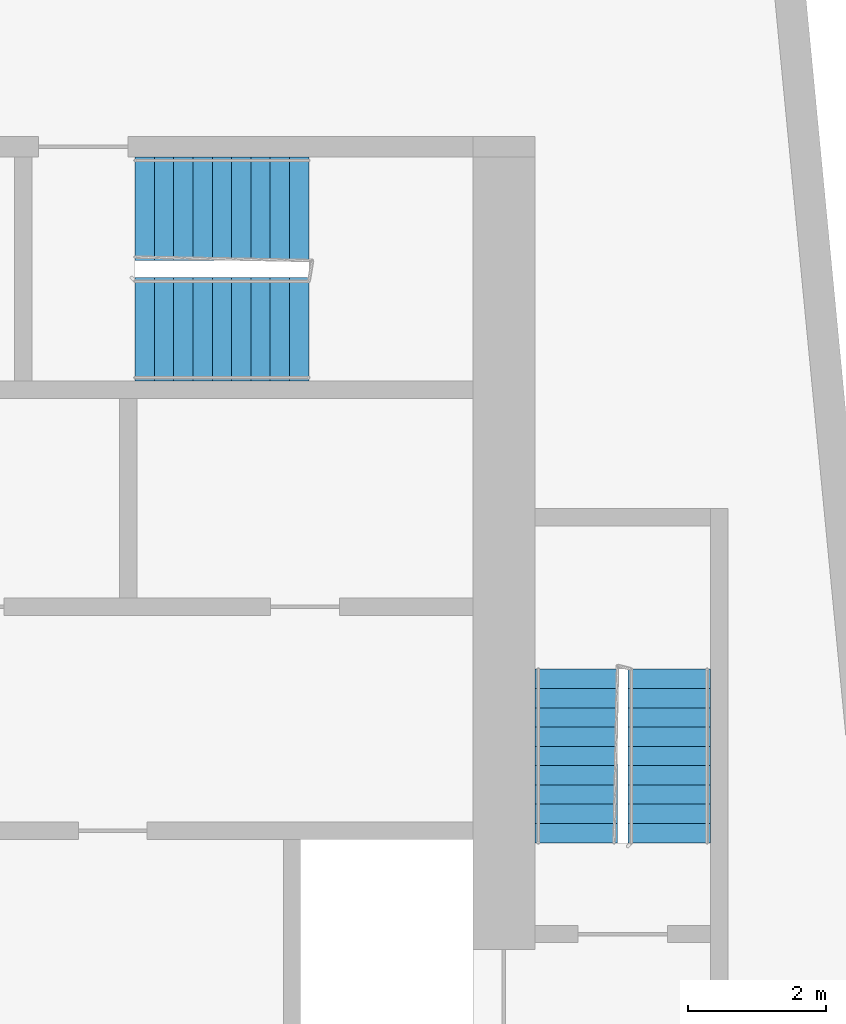
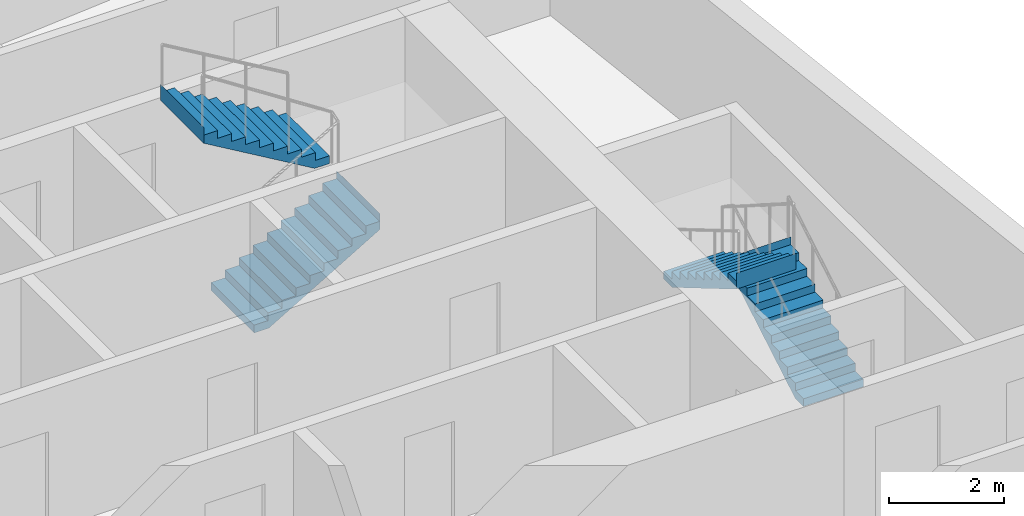
# One storey, part 11 of 12: 4 stair flights, 2 elements without a shape of their own.
"""IFC4 building model written with IfcOpenShell, lengths in metres."""

from ifc_helpers import new_model, si_unit, direction, frame, origin, place, context, subcontext, project, spatial, faceted_brep, material, type_object, element, aggregate, save


model = new_model("IFC4")

# Units and contexts
model_context = context("Model", 3, precision=1e-05, world=origin(), true_north=direction((0.0, 1.0)))
body_context = subcontext(model_context, "Body", "Model", "MODEL_VIEW")
ifc_project = project(units=[si_unit("LENGTHUNIT", "METRE"), si_unit("AREAUNIT", "SQUARE_METRE"), si_unit("VOLUMEUNIT", "CUBIC_METRE"), si_unit("PLANEANGLEUNIT", "RADIAN"), si_unit("MASSUNIT", "GRAM", prefix="KILO")], contexts=[model_context])

# Site, building, storey
site_placement = place(None, origin())
site = spatial("IfcSite", under=ifc_project, at=site_placement, CompositionType="ELEMENT")
building_placement = place(site_placement, origin())
building = spatial("IfcBuilding", under=site, at=building_placement, Name="Kajstack Hotel Tower", CompositionType="ELEMENT")
storey_placement = place(building_placement, frame((0.0, 0.0, 294.89990234375)))
storey = spatial("IfcBuildingStorey", under=building, at=storey_placement, Name="L74", CompositionType="ELEMENT", Elevation=294.89990234375)

# Stair, stair flights
ifc_material = material(Name="Concrete C40/50", Category="concrete")
stair_type_1 = type_object("IfcStairType", Name="Exit stair 1200", PredefinedType="HALF_TURN_STAIR", material=ifc_material)
stair_1_placement = place(storey_placement, origin())
stair_1 = element("IfcStair", 1, at=stair_1_placement, inside=storey, type_object=stair_type_1, Name="L74 stair E1", PredefinedType="HALF_TURN_STAIR")
stair_flight_type_1 = type_object("IfcStairFlightType", Name="Exit stair flight 1200", PredefinedType="STRAIGHT", material=ifc_material)
stair_flight_1_placement = place(storey_placement, frame((33.449951171875, 5.25, 0.0), z_axis=(0.0, 0.0, 1.0), x_axis=(0.0, 1.0, 0.0)))
stair_flight_1 = element("IfcStairFlight", 2, at=stair_flight_1_placement, type_object=stair_flight_type_1, Name="E1 flight 1", NumberOfRisers=10, NumberOfTreads=9, PredefinedType="STRAIGHT", RiserHeight=0.165, TreadLength=0.28, context=body_context, shape_type="Brep", body=[
    faceted_brep([(0.295654296875, -0.60009765625, 0.0), (2.5205078125, -0.60009765625, 1.31103515625), (2.5205078125, -0.60009765625, 1.64990234375), (2.52001953125, -0.60009765625, 1.64990234375), (2.52001953125, -0.60009765625, 1.485107421875), (2.239990234375, -0.60009765625, 1.485107421875), (2.239990234375, -0.60009765625, 1.320068359375), (1.9599609375, -0.60009765625, 1.320068359375), (1.9599609375, -0.60009765625, 1.155029296875), (1.679931640625, -0.60009765625, 1.155029296875), (1.679931640625, -0.60009765625, 0.989990234375), (1.39990234375, -0.60009765625, 0.989990234375), (1.39990234375, -0.60009765625, 0.824951171875), (1.1201171875, -0.60009765625, 0.824951171875), (1.1201171875, -0.60009765625, 0.659912109375), (0.840087890625, -0.60009765625, 0.659912109375), (0.840087890625, -0.60009765625, 0.4951171875), (0.56005859375, -0.60009765625, 0.4951171875), (0.56005859375, -0.60009765625, 0.330078125), (0.280029296875, -0.60009765625, 0.330078125), (0.280029296875, -0.60009765625, 0.1650390625), (-0.00048828125, -0.60009765625, 0.1650390625), (-0.00048828125, -0.60009765625, 0.0), (-0.00048828125, 0.60009765625, 0.0), (-0.00048828125, 0.60009765625, 0.1650390625), (0.280029296875, 0.60009765625, 0.1650390625), (0.280029296875, 0.60009765625, 0.330078125), (0.56005859375, 0.60009765625, 0.330078125), (0.56005859375, 0.60009765625, 0.4951171875), (0.840087890625, 0.60009765625, 0.4951171875), (0.840087890625, 0.60009765625, 0.659912109375), (1.1201171875, 0.60009765625, 0.659912109375), (1.1201171875, 0.60009765625, 0.824951171875), (1.39990234375, 0.60009765625, 0.824951171875), (1.39990234375, 0.60009765625, 0.989990234375), (1.679931640625, 0.60009765625, 0.989990234375), (1.679931640625, 0.60009765625, 1.155029296875), (1.9599609375, 0.60009765625, 1.155029296875), (1.9599609375, 0.60009765625, 1.320068359375), (2.239990234375, 0.60009765625, 1.320068359375), (2.239990234375, 0.60009765625, 1.485107421875), (2.52001953125, 0.60009765625, 1.485107421875), (2.52001953125, 0.60009765625, 1.64990234375), (2.5205078125, 0.60009765625, 1.64990234375), (2.5205078125, 0.60009765625, 1.31103515625), (0.295654296875, 0.60009765625, 0.0), (-0.00048828125, -0.300048828125, 0.1650390625), (-0.00048828125, 0.0, 0.1650390625), (-0.00048828125, 0.300048828125, 0.1650390625), (-0.00048828125, 0.300048828125, 0.0), (-0.00048828125, 0.0, 0.0), (-0.00048828125, -0.300048828125, 0.0), (0.280029296875, -0.300048828125, 0.1650390625), (0.280029296875, 0.0, 0.1650390625), (0.280029296875, 0.300048828125, 0.1650390625), (0.280029296875, -0.300048828125, 0.330078125), (0.280029296875, 0.0, 0.330078125), (0.280029296875, 0.300048828125, 0.330078125), (0.56005859375, -0.300048828125, 0.330078125), (0.56005859375, 0.0, 0.330078125), (0.56005859375, 0.300048828125, 0.330078125), (0.56005859375, -0.300048828125, 0.4951171875), (0.56005859375, 0.0, 0.4951171875), (0.56005859375, 0.300048828125, 0.4951171875), (0.840087890625, -0.300048828125, 0.4951171875), (0.840087890625, 0.0, 0.4951171875), (0.840087890625, 0.300048828125, 0.4951171875), (0.840087890625, -0.300048828125, 0.659912109375), (0.840087890625, 0.0, 0.659912109375), (0.840087890625, 0.300048828125, 0.659912109375), (1.1201171875, -0.300048828125, 0.659912109375), (1.1201171875, 0.0, 0.659912109375), (1.1201171875, 0.300048828125, 0.659912109375), (1.1201171875, -0.300048828125, 0.824951171875), (1.1201171875, 0.0, 0.824951171875), (1.1201171875, 0.300048828125, 0.824951171875), (1.39990234375, -0.300048828125, 0.824951171875), (1.39990234375, 0.0, 0.824951171875), (1.39990234375, 0.300048828125, 0.824951171875), (1.39990234375, -0.300048828125, 0.989990234375), (1.39990234375, 0.0, 0.989990234375), (1.39990234375, 0.300048828125, 0.989990234375), (1.679931640625, -0.300048828125, 0.989990234375), (1.679931640625, 0.0, 0.989990234375), (1.679931640625, 0.300048828125, 0.989990234375), (1.679931640625, -0.300048828125, 1.155029296875), (1.679931640625, 0.0, 1.155029296875), (1.679931640625, 0.300048828125, 1.155029296875), (1.9599609375, -0.300048828125, 1.155029296875), (1.9599609375, 0.0, 1.155029296875), (1.9599609375, 0.300048828125, 1.155029296875), (1.9599609375, -0.300048828125, 1.320068359375), (1.9599609375, 0.0, 1.320068359375), (1.9599609375, 0.300048828125, 1.320068359375), (2.239990234375, -0.300048828125, 1.320068359375), (2.239990234375, 0.0, 1.320068359375), (2.239990234375, 0.300048828125, 1.320068359375), (2.239990234375, -0.300048828125, 1.485107421875), (2.239990234375, 0.0, 1.485107421875), (2.239990234375, 0.300048828125, 1.485107421875), (2.52001953125, -0.300048828125, 1.485107421875), (2.52001953125, 0.0, 1.485107421875), (2.52001953125, 0.300048828125, 1.485107421875), (2.52001953125, -0.300048828125, 1.64990234375), (2.52001953125, 0.0, 1.64990234375), (2.52001953125, 0.300048828125, 1.64990234375), (2.5205078125, -0.300048828125, 1.64990234375), (2.5205078125, 0.0, 1.64990234375), (2.5205078125, 0.300048828125, 1.64990234375), (2.5205078125, -0.300048828125, 1.31103515625), (2.5205078125, 0.0, 1.31103515625), (2.5205078125, 0.300048828125, 1.31103515625), (0.295654296875, -0.300048828125, 0.0), (0.295654296875, 0.0, 0.0), (0.295654296875, 0.300048828125, 0.0)], [[[0, 1, 2, 3, 4, 5, 6, 7, 8, 9, 10, 11, 12, 13, 14, 15, 16, 17, 18, 19, 20, 21, 22]], [[23, 24, 25, 26, 27, 28, 29, 30, 31, 32, 33, 34, 35, 36, 37, 38, 39, 40, 41, 42, 43, 44, 45]], [[21, 46, 47, 48, 24, 23, 49, 50, 51, 22]], [[20, 52, 53, 54, 25, 24, 48, 47, 46, 21]], [[19, 55, 56, 57, 26, 25, 54, 53, 52, 20]], [[18, 58, 59, 60, 27, 26, 57, 56, 55, 19]], [[17, 61, 62, 63, 28, 27, 60, 59, 58, 18]], [[16, 64, 65, 66, 29, 28, 63, 62, 61, 17]], [[15, 67, 68, 69, 30, 29, 66, 65, 64, 16]], [[14, 70, 71, 72, 31, 30, 69, 68, 67, 15]], [[13, 73, 74, 75, 32, 31, 72, 71, 70, 14]], [[12, 76, 77, 78, 33, 32, 75, 74, 73, 13]], [[11, 79, 80, 81, 34, 33, 78, 77, 76, 12]], [[10, 82, 83, 84, 35, 34, 81, 80, 79, 11]], [[9, 85, 86, 87, 36, 35, 84, 83, 82, 10]], [[8, 88, 89, 90, 37, 36, 87, 86, 85, 9]], [[7, 91, 92, 93, 38, 37, 90, 89, 88, 8]], [[6, 94, 95, 96, 39, 38, 93, 92, 91, 7]], [[5, 97, 98, 99, 40, 39, 96, 95, 94, 6]], [[4, 100, 101, 102, 41, 40, 99, 98, 97, 5]], [[3, 103, 104, 105, 42, 41, 102, 101, 100, 4]], [[2, 106, 107, 108, 43, 42, 105, 104, 103, 3]], [[1, 109, 110, 111, 44, 43, 108, 107, 106, 2]], [[0, 112, 113, 114, 45, 44, 111, 110, 109, 1]], [[22, 51, 50, 49, 23, 45, 114, 113, 112, 0]]]),
])
stair_flight_2_placement = place(storey_placement, frame((32.10009765625, 7.77001953125, 1.650146484375), z_axis=(0.0, 0.0, 1.0), x_axis=(0.0, -1.0, 0.0)))
stair_flight_2 = element("IfcStairFlight", 3, at=stair_flight_2_placement, type_object=stair_flight_type_1, Name="E1 flight 2", NumberOfRisers=10, NumberOfTreads=9, PredefinedType="STRAIGHT", RiserHeight=0.165, TreadLength=0.28, context=body_context, shape_type="Brep", body=[
    faceted_brep([(0.295654296875, -0.60009765625, 0.0), (2.5205078125, -0.60009765625, 1.31103515625), (2.5205078125, -0.60009765625, 1.64990234375), (2.52001953125, -0.60009765625, 1.64990234375), (2.52001953125, -0.60009765625, 1.485107421875), (2.239990234375, -0.60009765625, 1.485107421875), (2.239990234375, -0.60009765625, 1.320068359375), (1.9599609375, -0.60009765625, 1.320068359375), (1.9599609375, -0.60009765625, 1.155029296875), (1.679931640625, -0.60009765625, 1.155029296875), (1.679931640625, -0.60009765625, 0.989990234375), (1.39990234375, -0.60009765625, 0.989990234375), (1.39990234375, -0.60009765625, 0.824951171875), (1.1201171875, -0.60009765625, 0.824951171875), (1.1201171875, -0.60009765625, 0.659912109375), (0.840087890625, -0.60009765625, 0.659912109375), (0.840087890625, -0.60009765625, 0.4951171875), (0.56005859375, -0.60009765625, 0.4951171875), (0.56005859375, -0.60009765625, 0.330078125), (0.280029296875, -0.60009765625, 0.330078125), (0.280029296875, -0.60009765625, 0.1650390625), (-0.00048828125, -0.60009765625, 0.1650390625), (-0.00048828125, -0.60009765625, 0.0), (-0.00048828125, 0.60009765625, 0.0), (-0.00048828125, 0.60009765625, 0.1650390625), (0.280029296875, 0.60009765625, 0.1650390625), (0.280029296875, 0.60009765625, 0.330078125), (0.56005859375, 0.60009765625, 0.330078125), (0.56005859375, 0.60009765625, 0.4951171875), (0.840087890625, 0.60009765625, 0.4951171875), (0.840087890625, 0.60009765625, 0.659912109375), (1.1201171875, 0.60009765625, 0.659912109375), (1.1201171875, 0.60009765625, 0.824951171875), (1.39990234375, 0.60009765625, 0.824951171875), (1.39990234375, 0.60009765625, 0.989990234375), (1.679931640625, 0.60009765625, 0.989990234375), (1.679931640625, 0.60009765625, 1.155029296875), (1.9599609375, 0.60009765625, 1.155029296875), (1.9599609375, 0.60009765625, 1.320068359375), (2.239990234375, 0.60009765625, 1.320068359375), (2.239990234375, 0.60009765625, 1.485107421875), (2.52001953125, 0.60009765625, 1.485107421875), (2.52001953125, 0.60009765625, 1.64990234375), (2.5205078125, 0.60009765625, 1.64990234375), (2.5205078125, 0.60009765625, 1.31103515625), (0.295654296875, 0.60009765625, 0.0), (-0.00048828125, -0.300048828125, 0.1650390625), (-0.00048828125, 0.0, 0.1650390625), (-0.00048828125, 0.300048828125, 0.1650390625), (-0.00048828125, 0.300048828125, 0.0), (-0.00048828125, 0.0, 0.0), (-0.00048828125, -0.300048828125, 0.0), (0.280029296875, -0.300048828125, 0.1650390625), (0.280029296875, 0.0, 0.1650390625), (0.280029296875, 0.300048828125, 0.1650390625), (0.280029296875, -0.300048828125, 0.330078125), (0.280029296875, 0.0, 0.330078125), (0.280029296875, 0.300048828125, 0.330078125), (0.56005859375, -0.300048828125, 0.330078125), (0.56005859375, 0.0, 0.330078125), (0.56005859375, 0.300048828125, 0.330078125), (0.56005859375, -0.300048828125, 0.4951171875), (0.56005859375, 0.0, 0.4951171875), (0.56005859375, 0.300048828125, 0.4951171875), (0.840087890625, -0.300048828125, 0.4951171875), (0.840087890625, 0.0, 0.4951171875), (0.840087890625, 0.300048828125, 0.4951171875), (0.840087890625, -0.300048828125, 0.659912109375), (0.840087890625, 0.0, 0.659912109375), (0.840087890625, 0.300048828125, 0.659912109375), (1.1201171875, -0.300048828125, 0.659912109375), (1.1201171875, 0.0, 0.659912109375), (1.1201171875, 0.300048828125, 0.659912109375), (1.1201171875, -0.300048828125, 0.824951171875), (1.1201171875, 0.0, 0.824951171875), (1.1201171875, 0.300048828125, 0.824951171875), (1.39990234375, -0.300048828125, 0.824951171875), (1.39990234375, 0.0, 0.824951171875), (1.39990234375, 0.300048828125, 0.824951171875), (1.39990234375, -0.300048828125, 0.989990234375), (1.39990234375, 0.0, 0.989990234375), (1.39990234375, 0.300048828125, 0.989990234375), (1.679931640625, -0.300048828125, 0.989990234375), (1.679931640625, 0.0, 0.989990234375), (1.679931640625, 0.300048828125, 0.989990234375), (1.679931640625, -0.300048828125, 1.155029296875), (1.679931640625, 0.0, 1.155029296875), (1.679931640625, 0.300048828125, 1.155029296875), (1.9599609375, -0.300048828125, 1.155029296875), (1.9599609375, 0.0, 1.155029296875), (1.9599609375, 0.300048828125, 1.155029296875), (1.9599609375, -0.300048828125, 1.320068359375), (1.9599609375, 0.0, 1.320068359375), (1.9599609375, 0.300048828125, 1.320068359375), (2.239990234375, -0.300048828125, 1.320068359375), (2.239990234375, 0.0, 1.320068359375), (2.239990234375, 0.300048828125, 1.320068359375), (2.239990234375, -0.300048828125, 1.485107421875), (2.239990234375, 0.0, 1.485107421875), (2.239990234375, 0.300048828125, 1.485107421875), (2.52001953125, -0.300048828125, 1.485107421875), (2.52001953125, 0.0, 1.485107421875), (2.52001953125, 0.300048828125, 1.485107421875), (2.52001953125, -0.300048828125, 1.64990234375), (2.52001953125, 0.0, 1.64990234375), (2.52001953125, 0.300048828125, 1.64990234375), (2.5205078125, -0.300048828125, 1.64990234375), (2.5205078125, 0.0, 1.64990234375), (2.5205078125, 0.300048828125, 1.64990234375), (2.5205078125, -0.300048828125, 1.31103515625), (2.5205078125, 0.0, 1.31103515625), (2.5205078125, 0.300048828125, 1.31103515625), (0.295654296875, -0.300048828125, 0.0), (0.295654296875, 0.0, 0.0), (0.295654296875, 0.300048828125, 0.0)], [[[0, 1, 2, 3, 4, 5, 6, 7, 8, 9, 10, 11, 12, 13, 14, 15, 16, 17, 18, 19, 20, 21, 22]], [[23, 24, 25, 26, 27, 28, 29, 30, 31, 32, 33, 34, 35, 36, 37, 38, 39, 40, 41, 42, 43, 44, 45]], [[21, 46, 47, 48, 24, 23, 49, 50, 51, 22]], [[20, 52, 53, 54, 25, 24, 48, 47, 46, 21]], [[19, 55, 56, 57, 26, 25, 54, 53, 52, 20]], [[18, 58, 59, 60, 27, 26, 57, 56, 55, 19]], [[17, 61, 62, 63, 28, 27, 60, 59, 58, 18]], [[16, 64, 65, 66, 29, 28, 63, 62, 61, 17]], [[15, 67, 68, 69, 30, 29, 66, 65, 64, 16]], [[14, 70, 71, 72, 31, 30, 69, 68, 67, 15]], [[13, 73, 74, 75, 32, 31, 72, 71, 70, 14]], [[12, 76, 77, 78, 33, 32, 75, 74, 73, 13]], [[11, 79, 80, 81, 34, 33, 78, 77, 76, 12]], [[10, 82, 83, 84, 35, 34, 81, 80, 79, 11]], [[9, 85, 86, 87, 36, 35, 84, 83, 82, 10]], [[8, 88, 89, 90, 37, 36, 87, 86, 85, 9]], [[7, 91, 92, 93, 38, 37, 90, 89, 88, 8]], [[6, 94, 95, 96, 39, 38, 93, 92, 91, 7]], [[5, 97, 98, 99, 40, 39, 96, 95, 94, 6]], [[4, 100, 101, 102, 41, 40, 99, 98, 97, 5]], [[3, 103, 104, 105, 42, 41, 102, 101, 100, 4]], [[2, 106, 107, 108, 43, 42, 105, 104, 103, 3]], [[1, 109, 110, 111, 44, 43, 108, 107, 106, 2]], [[0, 112, 113, 114, 45, 44, 111, 110, 109, 1]], [[22, 51, 50, 49, 23, 45, 114, 113, 112, 0]]]),
])
aggregate(stair_1, [stair_flight_1, stair_flight_2])

stair_type_2 = type_object("IfcStairType", Name="Exit stair 1500", PredefinedType="HALF_TURN_STAIR", material=ifc_material)
stair_2_placement = place(storey_placement, origin())
stair_2 = element("IfcStair", 4, at=stair_2_placement, inside=storey, type_object=stair_type_2, Name="L74 stair E3", PredefinedType="HALF_TURN_STAIR")
stair_flight_type_2 = type_object("IfcStairFlightType", Name="Exit stair flight 1500", PredefinedType="STRAIGHT", material=ifc_material)
stair_flight_3_placement = place(storey_placement, frame((25.699951171875, 12.699951171875, 0.0), z_axis=(0.0, 0.0, 1.0), x_axis=(1.0, 0.0, 0.0)))
stair_flight_3 = element("IfcStairFlight", 5, at=stair_flight_3_placement, type_object=stair_flight_type_2, Name="E3 flight 1", NumberOfRisers=10, NumberOfTreads=9, PredefinedType="STRAIGHT", RiserHeight=0.165, TreadLength=0.28, context=body_context, shape_type="Brep", body=[
    faceted_brep([(0.295654296875, -0.75, 0.0), (2.5205078125, -0.75, 1.31103515625), (2.5205078125, -0.75, 1.64990234375), (2.52001953125, -0.75, 1.64990234375), (2.52001953125, -0.75, 1.485107421875), (2.239990234375, -0.75, 1.485107421875), (2.239990234375, -0.75, 1.320068359375), (1.9599609375, -0.75, 1.320068359375), (1.9599609375, -0.75, 1.155029296875), (1.679931640625, -0.75, 1.155029296875), (1.679931640625, -0.75, 0.989990234375), (1.39990234375, -0.75, 0.989990234375), (1.39990234375, -0.75, 0.824951171875), (1.1201171875, -0.75, 0.824951171875), (1.1201171875, -0.75, 0.659912109375), (0.840087890625, -0.75, 0.659912109375), (0.840087890625, -0.75, 0.4951171875), (0.56005859375, -0.75, 0.4951171875), (0.56005859375, -0.75, 0.330078125), (0.280029296875, -0.75, 0.330078125), (0.280029296875, -0.75, 0.1650390625), (-0.00048828125, -0.75, 0.1650390625), (-0.00048828125, -0.75, 0.0), (-0.00048828125, 0.75, 0.0), (-0.00048828125, 0.75, 0.1650390625), (0.280029296875, 0.75, 0.1650390625), (0.280029296875, 0.75, 0.330078125), (0.56005859375, 0.75, 0.330078125), (0.56005859375, 0.75, 0.4951171875), (0.840087890625, 0.75, 0.4951171875), (0.840087890625, 0.75, 0.659912109375), (1.1201171875, 0.75, 0.659912109375), (1.1201171875, 0.75, 0.824951171875), (1.39990234375, 0.75, 0.824951171875), (1.39990234375, 0.75, 0.989990234375), (1.679931640625, 0.75, 0.989990234375), (1.679931640625, 0.75, 1.155029296875), (1.9599609375, 0.75, 1.155029296875), (1.9599609375, 0.75, 1.320068359375), (2.239990234375, 0.75, 1.320068359375), (2.239990234375, 0.75, 1.485107421875), (2.52001953125, 0.75, 1.485107421875), (2.52001953125, 0.75, 1.64990234375), (2.5205078125, 0.75, 1.64990234375), (2.5205078125, 0.75, 1.31103515625), (0.295654296875, 0.75, 0.0), (-0.00048828125, -0.375, 0.1650390625), (-0.00048828125, 0.0, 0.1650390625), (-0.00048828125, 0.375, 0.1650390625), (-0.00048828125, 0.375, 0.0), (-0.00048828125, 0.0, 0.0), (-0.00048828125, -0.375, 0.0), (0.280029296875, -0.375, 0.1650390625), (0.280029296875, 0.0, 0.1650390625), (0.280029296875, 0.375, 0.1650390625), (0.280029296875, -0.375, 0.330078125), (0.280029296875, 0.0, 0.330078125), (0.280029296875, 0.375, 0.330078125), (0.56005859375, -0.375, 0.330078125), (0.56005859375, 0.0, 0.330078125), (0.56005859375, 0.375, 0.330078125), (0.56005859375, -0.375, 0.4951171875), (0.56005859375, 0.0, 0.4951171875), (0.56005859375, 0.375, 0.4951171875), (0.840087890625, -0.375, 0.4951171875), (0.840087890625, 0.0, 0.4951171875), (0.840087890625, 0.375, 0.4951171875), (0.840087890625, -0.375, 0.659912109375), (0.840087890625, 0.0, 0.659912109375), (0.840087890625, 0.375, 0.659912109375), (1.1201171875, -0.375, 0.659912109375), (1.1201171875, 0.0, 0.659912109375), (1.1201171875, 0.375, 0.659912109375), (1.1201171875, -0.375, 0.824951171875), (1.1201171875, 0.0, 0.824951171875), (1.1201171875, 0.375, 0.824951171875), (1.39990234375, -0.375, 0.824951171875), (1.39990234375, 0.0, 0.824951171875), (1.39990234375, 0.375, 0.824951171875), (1.39990234375, -0.375, 0.989990234375), (1.39990234375, 0.0, 0.989990234375), (1.39990234375, 0.375, 0.989990234375), (1.679931640625, -0.375, 0.989990234375), (1.679931640625, 0.0, 0.989990234375), (1.679931640625, 0.375, 0.989990234375), (1.679931640625, -0.375, 1.155029296875), (1.679931640625, 0.0, 1.155029296875), (1.679931640625, 0.375, 1.155029296875), (1.9599609375, -0.375, 1.155029296875), (1.9599609375, 0.0, 1.155029296875), (1.9599609375, 0.375, 1.155029296875), (1.9599609375, -0.375, 1.320068359375), (1.9599609375, 0.0, 1.320068359375), (1.9599609375, 0.375, 1.320068359375), (2.239990234375, -0.375, 1.320068359375), (2.239990234375, 0.0, 1.320068359375), (2.239990234375, 0.375, 1.320068359375), (2.239990234375, -0.375, 1.485107421875), (2.239990234375, 0.0, 1.485107421875), (2.239990234375, 0.375, 1.485107421875), (2.52001953125, -0.375, 1.485107421875), (2.52001953125, 0.0, 1.485107421875), (2.52001953125, 0.375, 1.485107421875), (2.52001953125, -0.375, 1.64990234375), (2.52001953125, 0.0, 1.64990234375), (2.52001953125, 0.375, 1.64990234375), (2.5205078125, -0.375, 1.64990234375), (2.5205078125, 0.0, 1.64990234375), (2.5205078125, 0.375, 1.64990234375), (2.5205078125, -0.375, 1.31103515625), (2.5205078125, 0.0, 1.31103515625), (2.5205078125, 0.375, 1.31103515625), (0.295654296875, -0.375, 0.0), (0.295654296875, 0.0, 0.0), (0.295654296875, 0.375, 0.0)], [[[0, 1, 2, 3, 4, 5, 6, 7, 8, 9, 10, 11, 12, 13, 14, 15, 16, 17, 18, 19, 20, 21, 22]], [[23, 24, 25, 26, 27, 28, 29, 30, 31, 32, 33, 34, 35, 36, 37, 38, 39, 40, 41, 42, 43, 44, 45]], [[21, 46, 47, 48, 24, 23, 49, 50, 51, 22]], [[20, 52, 53, 54, 25, 24, 48, 47, 46, 21]], [[19, 55, 56, 57, 26, 25, 54, 53, 52, 20]], [[18, 58, 59, 60, 27, 26, 57, 56, 55, 19]], [[17, 61, 62, 63, 28, 27, 60, 59, 58, 18]], [[16, 64, 65, 66, 29, 28, 63, 62, 61, 17]], [[15, 67, 68, 69, 30, 29, 66, 65, 64, 16]], [[14, 70, 71, 72, 31, 30, 69, 68, 67, 15]], [[13, 73, 74, 75, 32, 31, 72, 71, 70, 14]], [[12, 76, 77, 78, 33, 32, 75, 74, 73, 13]], [[11, 79, 80, 81, 34, 33, 78, 77, 76, 12]], [[10, 82, 83, 84, 35, 34, 81, 80, 79, 11]], [[9, 85, 86, 87, 36, 35, 84, 83, 82, 10]], [[8, 88, 89, 90, 37, 36, 87, 86, 85, 9]], [[7, 91, 92, 93, 38, 37, 90, 89, 88, 8]], [[6, 94, 95, 96, 39, 38, 93, 92, 91, 7]], [[5, 97, 98, 99, 40, 39, 96, 95, 94, 6]], [[4, 100, 101, 102, 41, 40, 99, 98, 97, 5]], [[3, 103, 104, 105, 42, 41, 102, 101, 100, 4]], [[2, 106, 107, 108, 43, 42, 105, 104, 103, 3]], [[1, 109, 110, 111, 44, 43, 108, 107, 106, 2]], [[0, 112, 113, 114, 45, 44, 111, 110, 109, 1]], [[22, 51, 50, 49, 23, 45, 114, 113, 112, 0]]]),
])
stair_flight_4_placement = place(storey_placement, frame((28.219970703125, 14.449951171875, 1.650146484375), z_axis=(0.0, 0.0, 1.0), x_axis=(-1.0, 0.0, 0.0)))
stair_flight_4 = element("IfcStairFlight", 6, at=stair_flight_4_placement, type_object=stair_flight_type_2, Name="E3 flight 2", NumberOfRisers=10, NumberOfTreads=9, PredefinedType="STRAIGHT", RiserHeight=0.165, TreadLength=0.28, context=body_context, shape_type="Brep", body=[
    faceted_brep([(0.295654296875, -0.75, 0.0), (2.5205078125, -0.75, 1.31103515625), (2.5205078125, -0.75, 1.64990234375), (2.52001953125, -0.75, 1.64990234375), (2.52001953125, -0.75, 1.485107421875), (2.239990234375, -0.75, 1.485107421875), (2.239990234375, -0.75, 1.320068359375), (1.9599609375, -0.75, 1.320068359375), (1.9599609375, -0.75, 1.155029296875), (1.679931640625, -0.75, 1.155029296875), (1.679931640625, -0.75, 0.989990234375), (1.39990234375, -0.75, 0.989990234375), (1.39990234375, -0.75, 0.824951171875), (1.1201171875, -0.75, 0.824951171875), (1.1201171875, -0.75, 0.659912109375), (0.840087890625, -0.75, 0.659912109375), (0.840087890625, -0.75, 0.4951171875), (0.56005859375, -0.75, 0.4951171875), (0.56005859375, -0.75, 0.330078125), (0.280029296875, -0.75, 0.330078125), (0.280029296875, -0.75, 0.1650390625), (-0.00048828125, -0.75, 0.1650390625), (-0.00048828125, -0.75, 0.0), (-0.00048828125, 0.75, 0.0), (-0.00048828125, 0.75, 0.1650390625), (0.280029296875, 0.75, 0.1650390625), (0.280029296875, 0.75, 0.330078125), (0.56005859375, 0.75, 0.330078125), (0.56005859375, 0.75, 0.4951171875), (0.840087890625, 0.75, 0.4951171875), (0.840087890625, 0.75, 0.659912109375), (1.1201171875, 0.75, 0.659912109375), (1.1201171875, 0.75, 0.824951171875), (1.39990234375, 0.75, 0.824951171875), (1.39990234375, 0.75, 0.989990234375), (1.679931640625, 0.75, 0.989990234375), (1.679931640625, 0.75, 1.155029296875), (1.9599609375, 0.75, 1.155029296875), (1.9599609375, 0.75, 1.320068359375), (2.239990234375, 0.75, 1.320068359375), (2.239990234375, 0.75, 1.485107421875), (2.52001953125, 0.75, 1.485107421875), (2.52001953125, 0.75, 1.64990234375), (2.5205078125, 0.75, 1.64990234375), (2.5205078125, 0.75, 1.31103515625), (0.295654296875, 0.75, 0.0), (-0.00048828125, -0.375, 0.1650390625), (-0.00048828125, 0.0, 0.1650390625), (-0.00048828125, 0.375, 0.1650390625), (-0.00048828125, 0.375, 0.0), (-0.00048828125, 0.0, 0.0), (-0.00048828125, -0.375, 0.0), (0.280029296875, -0.375, 0.1650390625), (0.280029296875, 0.0, 0.1650390625), (0.280029296875, 0.375, 0.1650390625), (0.280029296875, -0.375, 0.330078125), (0.280029296875, 0.0, 0.330078125), (0.280029296875, 0.375, 0.330078125), (0.56005859375, -0.375, 0.330078125), (0.56005859375, 0.0, 0.330078125), (0.56005859375, 0.375, 0.330078125), (0.56005859375, -0.375, 0.4951171875), (0.56005859375, 0.0, 0.4951171875), (0.56005859375, 0.375, 0.4951171875), (0.840087890625, -0.375, 0.4951171875), (0.840087890625, 0.0, 0.4951171875), (0.840087890625, 0.375, 0.4951171875), (0.840087890625, -0.375, 0.659912109375), (0.840087890625, 0.0, 0.659912109375), (0.840087890625, 0.375, 0.659912109375), (1.1201171875, -0.375, 0.659912109375), (1.1201171875, 0.0, 0.659912109375), (1.1201171875, 0.375, 0.659912109375), (1.1201171875, -0.375, 0.824951171875), (1.1201171875, 0.0, 0.824951171875), (1.1201171875, 0.375, 0.824951171875), (1.39990234375, -0.375, 0.824951171875), (1.39990234375, 0.0, 0.824951171875), (1.39990234375, 0.375, 0.824951171875), (1.39990234375, -0.375, 0.989990234375), (1.39990234375, 0.0, 0.989990234375), (1.39990234375, 0.375, 0.989990234375), (1.679931640625, -0.375, 0.989990234375), (1.679931640625, 0.0, 0.989990234375), (1.679931640625, 0.375, 0.989990234375), (1.679931640625, -0.375, 1.155029296875), (1.679931640625, 0.0, 1.155029296875), (1.679931640625, 0.375, 1.155029296875), (1.9599609375, -0.375, 1.155029296875), (1.9599609375, 0.0, 1.155029296875), (1.9599609375, 0.375, 1.155029296875), (1.9599609375, -0.375, 1.320068359375), (1.9599609375, 0.0, 1.320068359375), (1.9599609375, 0.375, 1.320068359375), (2.239990234375, -0.375, 1.320068359375), (2.239990234375, 0.0, 1.320068359375), (2.239990234375, 0.375, 1.320068359375), (2.239990234375, -0.375, 1.485107421875), (2.239990234375, 0.0, 1.485107421875), (2.239990234375, 0.375, 1.485107421875), (2.52001953125, -0.375, 1.485107421875), (2.52001953125, 0.0, 1.485107421875), (2.52001953125, 0.375, 1.485107421875), (2.52001953125, -0.375, 1.64990234375), (2.52001953125, 0.0, 1.64990234375), (2.52001953125, 0.375, 1.64990234375), (2.5205078125, -0.375, 1.64990234375), (2.5205078125, 0.0, 1.64990234375), (2.5205078125, 0.375, 1.64990234375), (2.5205078125, -0.375, 1.31103515625), (2.5205078125, 0.0, 1.31103515625), (2.5205078125, 0.375, 1.31103515625), (0.295654296875, -0.375, 0.0), (0.295654296875, 0.0, 0.0), (0.295654296875, 0.375, 0.0)], [[[0, 1, 2, 3, 4, 5, 6, 7, 8, 9, 10, 11, 12, 13, 14, 15, 16, 17, 18, 19, 20, 21, 22]], [[23, 24, 25, 26, 27, 28, 29, 30, 31, 32, 33, 34, 35, 36, 37, 38, 39, 40, 41, 42, 43, 44, 45]], [[21, 46, 47, 48, 24, 23, 49, 50, 51, 22]], [[20, 52, 53, 54, 25, 24, 48, 47, 46, 21]], [[19, 55, 56, 57, 26, 25, 54, 53, 52, 20]], [[18, 58, 59, 60, 27, 26, 57, 56, 55, 19]], [[17, 61, 62, 63, 28, 27, 60, 59, 58, 18]], [[16, 64, 65, 66, 29, 28, 63, 62, 61, 17]], [[15, 67, 68, 69, 30, 29, 66, 65, 64, 16]], [[14, 70, 71, 72, 31, 30, 69, 68, 67, 15]], [[13, 73, 74, 75, 32, 31, 72, 71, 70, 14]], [[12, 76, 77, 78, 33, 32, 75, 74, 73, 13]], [[11, 79, 80, 81, 34, 33, 78, 77, 76, 12]], [[10, 82, 83, 84, 35, 34, 81, 80, 79, 11]], [[9, 85, 86, 87, 36, 35, 84, 83, 82, 10]], [[8, 88, 89, 90, 37, 36, 87, 86, 85, 9]], [[7, 91, 92, 93, 38, 37, 90, 89, 88, 8]], [[6, 94, 95, 96, 39, 38, 93, 92, 91, 7]], [[5, 97, 98, 99, 40, 39, 96, 95, 94, 6]], [[4, 100, 101, 102, 41, 40, 99, 98, 97, 5]], [[3, 103, 104, 105, 42, 41, 102, 101, 100, 4]], [[2, 106, 107, 108, 43, 42, 105, 104, 103, 3]], [[1, 109, 110, 111, 44, 43, 108, 107, 106, 2]], [[0, 112, 113, 114, 45, 44, 111, 110, 109, 1]], [[22, 51, 50, 49, 23, 45, 114, 113, 112, 0]]]),
])
aggregate(stair_2, [stair_flight_3, stair_flight_4])

save(model, "model.ifc")
